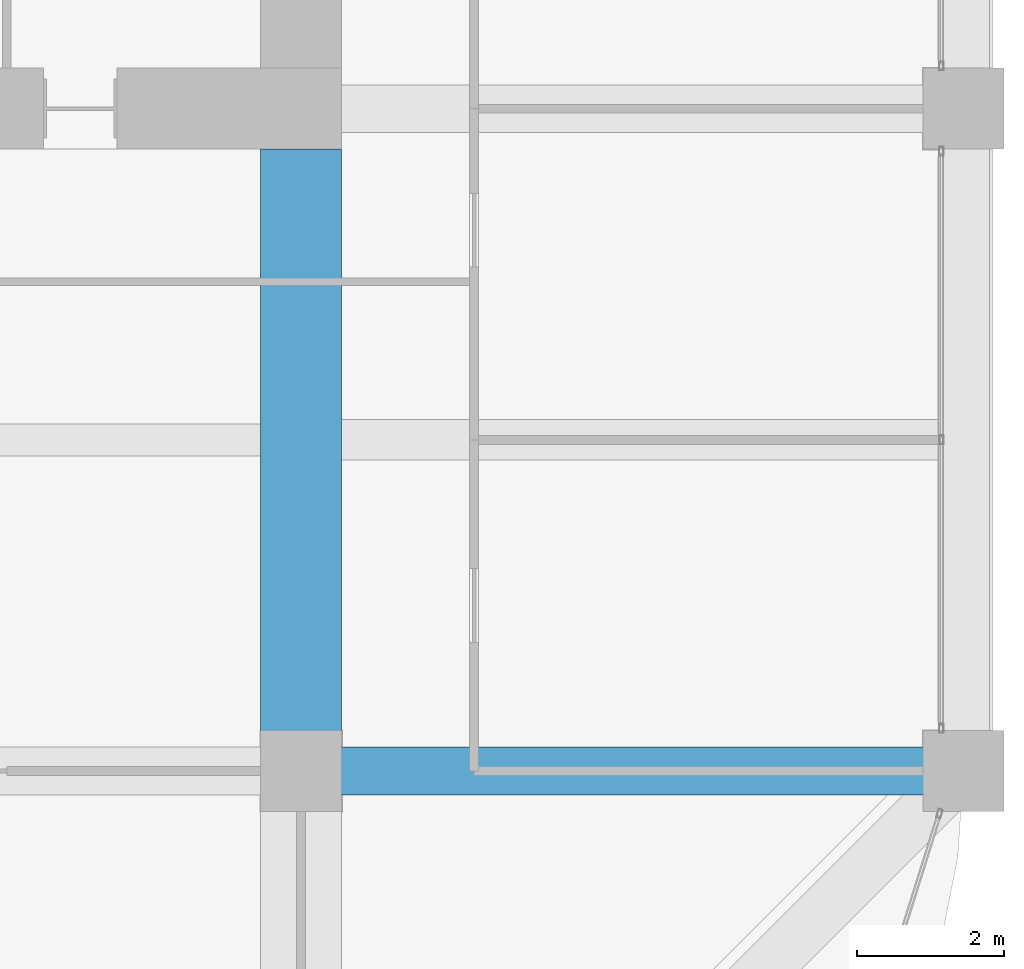
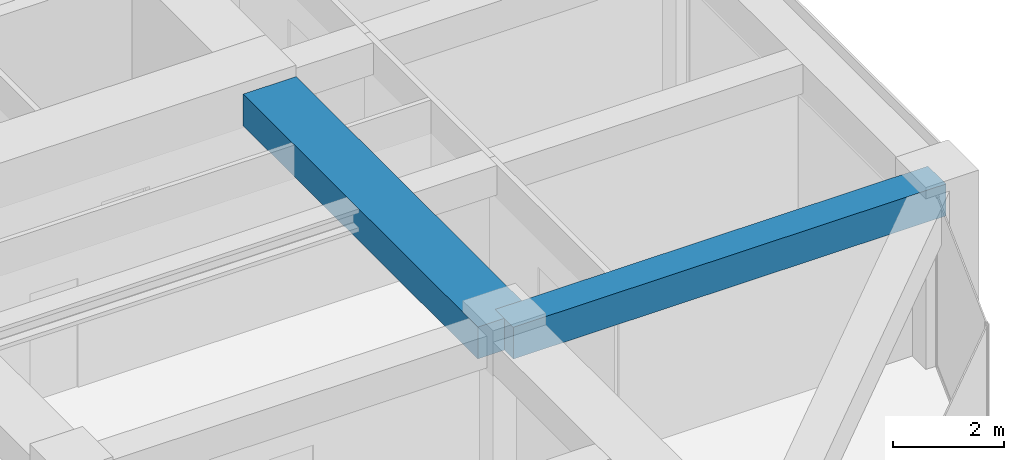
# One storey, part 21 of 44: 2 beams.
"""IFC4 building model written with IfcOpenShell, lengths in metres."""

import ifcopenshell
import ifcopenshell.guid

model = None  # the IFC model being written
_history = None  # IfcOwnerHistory: only IFC2X3 demands one
_inside = {}  # id of a spatial element -> (the spatial element, [elements in it])
_under = {}  # id of a project, library or spatial element -> (it, [spatial elements below it])
_declared = {}  # id of a project -> (the project, [libraries it declares])
_typed = {}  # id of a type object -> (the type object, [elements of that type])
_made_of = {}  # id of a material, layer set ... -> (it, [elements and type objects made of it])


def new_model(schema):
    """Start an empty IFC model of exactly this schema.

    Asked for "IFC4X3", IfcOpenShell would pick the latest addendum, in which some entities
    have other attributes; the version numbers below select the first issue.
    IFC2X3 requires an IfcOwnerHistory on every rooted entity: one is made here for all.
    """
    global model, _history
    if schema == "IFC4X3":
        model = ifcopenshell.file(schema_version=(4, 3, 0, 0))
    else:
        model = ifcopenshell.file(schema=schema)
    _inside.clear()
    _under.clear()
    _declared.clear()
    _typed.clear()
    _made_of.clear()
    _history = None
    if model.schema == "IFC2X3":
        org = make("IfcOrganization", Name="unknown")
        user = make(
            "IfcPersonAndOrganization",
            ThePerson=make("IfcPerson", FamilyName="unknown"),
            TheOrganization=org,
        )
        app = make(
            "IfcApplication",
            ApplicationDeveloper=org,
            Version="unknown",
            ApplicationFullName="unknown",
            ApplicationIdentifier="unknown",
        )
        _history = make(
            "IfcOwnerHistory",
            OwningUser=user,
            OwningApplication=app,
            ChangeAction="ADDED",
            CreationDate=0,
        )
    return model


def make(cls, **values):
    """One entity of the class cls with the attributes given. An attribute that is None is left unset."""
    return model.create_entity(
        cls, **{name: value for name, value in values.items() if value is not None}
    )


def rooted(cls, **values):
    """An entity with a GlobalId (a new one), such as an element, a storey or a relation."""
    return make(cls, GlobalId=ifcopenshell.guid.new(), OwnerHistory=_history, **values)


def si_unit(unit_type, name, prefix=None):
    """IfcSIUnit, for example si_unit("LENGTHUNIT", "METRE", prefix="MILLI")."""
    return make("IfcSIUnit", UnitType=unit_type, Prefix=prefix, Name=name)


def assignment(units):
    """IfcUnitAssignment: the units of a project."""
    return None if units is None else make("IfcUnitAssignment", Units=units)


def point(xyz):
    """IfcCartesianPoint."""
    return None if xyz is None else make("IfcCartesianPoint", Coordinates=xyz)


def direction(xyz):
    """IfcDirection."""
    return None if xyz is None else make("IfcDirection", DirectionRatios=xyz)


def frame(location, z_axis=None, x_axis=None):
    """IfcAxis2Placement3D, a coordinate frame: its origin and axes. An axis left out is left unset."""
    return make(
        "IfcAxis2Placement3D",
        Location=point(location),
        Axis=direction(z_axis),
        RefDirection=direction(x_axis),
    )


def frame_2d(location, x_axis=None):
    """IfcAxis2Placement2D, a coordinate frame in the plane: its origin and x axis."""
    return make(
        "IfcAxis2Placement2D", Location=point(location), RefDirection=direction(x_axis)
    )


def origin():
    """The frame at (0, 0, 0) with its axes left unset."""
    return frame((0.0, 0.0, 0.0))


def origin_2d():
    """The frame at (0, 0) in the plane with its x axis left unset."""
    return frame_2d((0.0, 0.0))


def place(relative_to, where):
    """IfcLocalPlacement: puts the frame where relative to a parent placement (None: the world)."""
    return make(
        "IfcLocalPlacement", PlacementRelTo=relative_to, RelativePlacement=where
    )


def context(
    kind, dimensions, precision=None, world=None, true_north=None, identifier=None
):
    """IfcGeometricRepresentationContext, for example the 3D "Model" context."""
    return make(
        "IfcGeometricRepresentationContext",
        ContextIdentifier=identifier,
        ContextType=kind,
        CoordinateSpaceDimension=dimensions,
        Precision=precision,
        WorldCoordinateSystem=world,
        TrueNorth=true_north,
    )


def subcontext(parent, identifier, kind, view, scale=None):
    """IfcGeometricRepresentationSubContext, for example "Body" below "Model"."""
    return make(
        "IfcGeometricRepresentationSubContext",
        ContextIdentifier=identifier,
        ContextType=kind,
        ParentContext=parent,
        TargetScale=scale,
        TargetView=view,
    )


def project(units=None, contexts=None):
    """IfcProject with its units and contexts."""
    return rooted(
        "IfcProject",
        Name="project",
        RepresentationContexts=contexts,
        UnitsInContext=assignment(units),
    )


def spatial(cls, under=None, at=None, **own):
    """A site, building, storey or space (cls), placed at a placement, below another one or the project."""
    s = rooted(cls, ObjectPlacement=at, **own)
    if under is not None:
        _under.setdefault(under.id(), (under, []))[1].append(s)
    return s


def profile(cls, at=None, kind="AREA", **sizes):
    """A parametric profile (cls). Its sizes go by their IFC names, for example OverallWidth=200.0."""
    return make(cls, ProfileType=kind, Position=at, **sizes)


def rectangle(**sizes):
    """IfcRectangleProfileDef."""
    return profile("IfcRectangleProfileDef", **sizes)


def extrude(swept, where, along, depth):
    """IfcExtrudedAreaSolid: the profile swept, set in the frame where, extruded along a direction by depth."""
    return make(
        "IfcExtrudedAreaSolid",
        SweptArea=swept,
        Position=where,
        ExtrudedDirection=direction(along),
        Depth=depth,
    )


def shape(context_of_items, identifier, shape_type, items):
    """IfcShapeRepresentation: the items that make up one representation, for example the "Body"."""
    return make(
        "IfcShapeRepresentation",
        ContextOfItems=context_of_items,
        RepresentationIdentifier=identifier,
        RepresentationType=shape_type,
        Items=items,
    )


def material(Name=None, Category=None):
    """IfcMaterial."""
    return make("IfcMaterial", Name=Name, Category=Category)


def material_profile(
    of_material, cross_section, Name=None, Category=None, Priority=None
):
    """IfcMaterialProfile: a cross section and its material."""
    return make(
        "IfcMaterialProfile",
        Name=Name,
        Material=of_material,
        Profile=cross_section,
        Priority=Priority,
        Category=Category,
    )


def profile_set(profiles, Name=None, composite=None):
    """IfcMaterialProfileSet."""
    return make(
        "IfcMaterialProfileSet",
        Name=Name,
        MaterialProfiles=profiles,
        CompositeProfile=composite,
    )


def made_of(thing, what):
    """Note that an element or type object is made of a material, layer set ...; save() writes the relation."""
    if what is not None:
        _made_of.setdefault(what.id(), (what, []))[1].append(thing)
    return thing


def type_object(cls, material=None, **own):
    """A type object (cls), such as IfcWallType, which elements share."""
    return made_of(rooted(cls, **own), material)


def element(
    cls,
    number,
    at=None,
    inside=None,
    cuts=None,
    type_object=None,
    material=None,
    context=None,
    identifier="Body",
    shape_type=None,
    held_by="IfcProductDefinitionShape",
    body=None,
    shapes=None,
    **own,
):
    """One element of the class cls, such as IfcWall. Its Tag is "e" and its number.

    at: its placement. inside: the storey or other place that contains it. cuts: it is an
    opening in that element (IfcRelVoidsElement). A single representation is given by context,
    identifier, shape_type and body (its items); several are given by shapes. held_by: the class
    of the entity that holds the representations. save() writes the other relations.
    """
    e = rooted(cls, Tag="e%d" % number, ObjectPlacement=at, **own)
    if body is not None:
        shapes = [shape(context, identifier, shape_type, body)]
    if shapes is not None:
        e.Representation = make(held_by, Representations=shapes)
    if inside is not None:
        _inside.setdefault(inside.id(), (inside, []))[1].append(e)
    if cuts is not None:
        rooted(
            "IfcRelVoidsElement", RelatingBuildingElement=cuts, RelatedOpeningElement=e
        )
    if type_object is not None:
        _typed.setdefault(type_object.id(), (type_object, []))[1].append(e)
    return made_of(e, material)


def aggregate(whole, parts):
    """IfcRelAggregates: a whole, such as a stair, and the parts it consists of."""
    return rooted("IfcRelAggregates", RelatingObject=whole, RelatedObjects=parts)


def save(model, path):
    """Write the relations noted so far, then the file.

    IfcRelAggregates (storeys below a building ...), IfcRelContainedInSpatialStructure (elements
    in a storey), IfcRelDefinesByType, IfcRelAssociatesMaterial and IfcRelDeclares: one each for
    every whole, place, type object, material and project.
    """
    for whole, parts in _under.values():
        aggregate(whole, parts)
    for where, things in _inside.values():
        rooted(
            "IfcRelContainedInSpatialStructure",
            RelatedElements=things,
            RelatingStructure=where,
        )
    for kind, things in _typed.values():
        rooted("IfcRelDefinesByType", RelatedObjects=things, RelatingType=kind)
    for what, things in _made_of.values():
        rooted("IfcRelAssociatesMaterial", RelatedObjects=things, RelatingMaterial=what)
    for by, libraries in _declared.values():
        rooted("IfcRelDeclares", RelatingContext=by, RelatedDefinitions=libraries)
    model.write(path)


model = new_model("IFC4")

# Units and contexts
model_context = context("Model", 3, precision=1e-05, world=origin(), true_north=direction((0.0, 1.0)))
body_context = subcontext(model_context, "Body", "Model", "MODEL_VIEW")
ifc_project = project(units=[si_unit("LENGTHUNIT", "METRE"), si_unit("AREAUNIT", "SQUARE_METRE"), si_unit("VOLUMEUNIT", "CUBIC_METRE"), si_unit("PLANEANGLEUNIT", "RADIAN"), si_unit("MASSUNIT", "GRAM", prefix="KILO")], contexts=[model_context])

# Site, building, storey
site_placement = place(None, origin())
site = spatial("IfcSite", under=ifc_project, at=site_placement, CompositionType="ELEMENT")
building_placement = place(site_placement, origin())
building = spatial("IfcBuilding", under=site, at=building_placement, Name="Zorevar Civic Tower", CompositionType="ELEMENT")
storey_placement = place(building_placement, frame((0.0, 0.0, 267.39990234375)))
storey = spatial("IfcBuildingStorey", under=building, at=storey_placement, Name="L65", CompositionType="ELEMENT", Elevation=267.39990234375)

# Beams
ifc_material_1 = material(Name="Concrete C50/60", Category="concrete")
ifc_material_profile_1 = material_profile(ifc_material_1, rectangle(XDim=1.10009765625, YDim=0.699951171875, at=origin_2d()), Name="RC 1100x700")
ifc_profile_set_1 = profile_set([ifc_material_profile_1], Name="Concrete C50/60")
beam_type_1 = type_object("IfcBeamType", Name="Beam RC 1100x700", PredefinedType="BEAM", material=ifc_profile_set_1)
beam_1_placement = place(storey_placement, frame((45.0, 9.0, 3.400146484375), z_axis=(0.0, 1.0, 0.0), x_axis=(-1.0, 0.0, 0.0)))
element("IfcBeam", 1, at=beam_1_placement, inside=storey, type_object=beam_type_1, Name="Girder L66", PredefinedType="BEAM", context=body_context, shape_type="SweptSolid", body=[
    extrude(rectangle(XDim=1.10009765625, YDim=0.699951171875, at=origin_2d()), origin(), (0.0, 0.0, 1.0), 8.449951171875),
])
ifc_material_2 = material(Name="Concrete C50/60", Category="concrete")
ifc_material_profile_2 = material_profile(ifc_material_2, rectangle(XDim=0.64990234375, YDim=0.699951171875, at=origin_2d()), Name="RC 650x700")
ifc_profile_set_2 = profile_set([ifc_material_profile_2], Name="Concrete C50/60")
beam_type_2 = type_object("IfcBeamType", Name="Beam RC 650x700", PredefinedType="BEAM", material=ifc_profile_set_2)
beam_2_placement = place(storey_placement, frame((45.0, 9.0, 3.400146484375), z_axis=(1.0, 0.0, 0.0), x_axis=(0.0, 1.0, 0.0)))
element("IfcBeam", 2, at=beam_2_placement, inside=storey, type_object=beam_type_2, Name="Girder L66", PredefinedType="BEAM", context=body_context, shape_type="SweptSolid", body=[
    extrude(rectangle(XDim=0.64990234375, YDim=0.699951171875, at=origin_2d()), origin(), (0.0, 0.0, 1.0), 9.0),
])

save(model, "model.ifc")
